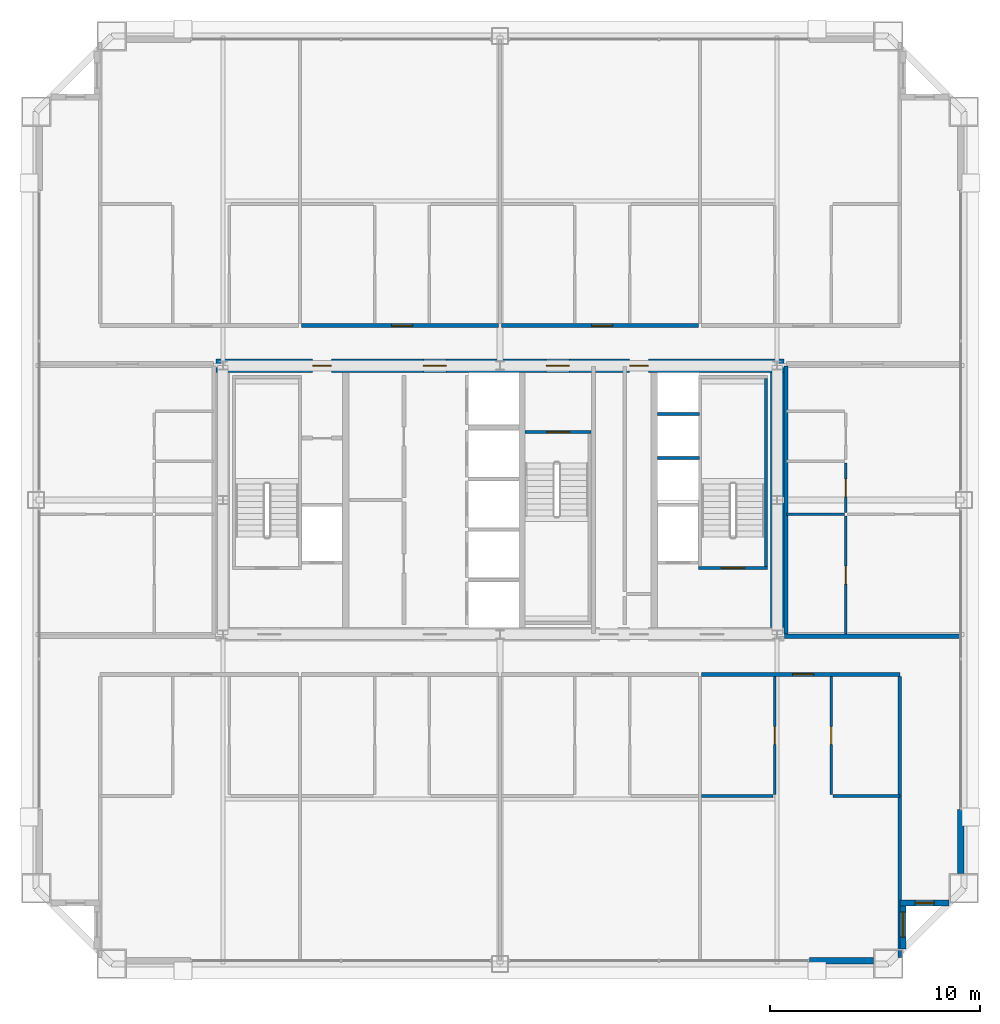
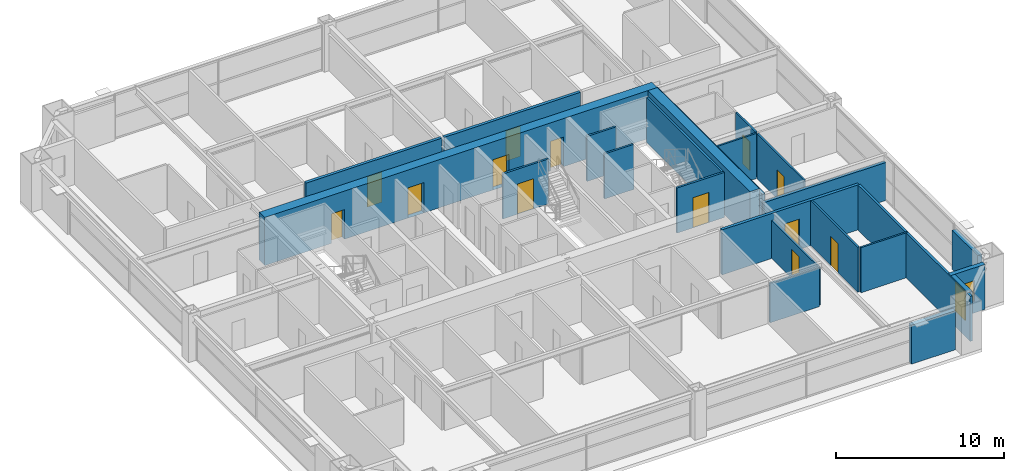
# One storey, part 35 of 38: 24 walls, 13 doors, 2 windows, 15 openings.
"""IFC4 building model written with IfcOpenShell, lengths in metres."""

from ifc_helpers import new_model, si_unit, direction, frame, frame_2d, origin, place, context, subcontext, project, spatial, rectangle, extrude, source, transform, mapped, material, layer, layer_set, type_object, element, fill, save


model = new_model("IFC4")

# Units and contexts
model_context = context("Model", 3, precision=1e-05, world=origin(), true_north=direction((0.0, 1.0)))
body_context = subcontext(model_context, "Body", "Model", "MODEL_VIEW")
ifc_project = project(units=[si_unit("LENGTHUNIT", "METRE"), si_unit("AREAUNIT", "SQUARE_METRE"), si_unit("VOLUMEUNIT", "CUBIC_METRE"), si_unit("PLANEANGLEUNIT", "RADIAN"), si_unit("MASSUNIT", "GRAM", prefix="KILO"), si_unit("THERMODYNAMICTEMPERATUREUNIT", "KELVIN"), si_unit("POWERUNIT", "WATT")], contexts=[model_context])

# Site, building, storey
site_placement = place(None, origin())
site = spatial("IfcSite", under=ifc_project, at=site_placement, CompositionType="ELEMENT")
building_placement = place(site_placement, origin())
building = spatial("IfcBuilding", under=site, at=building_placement, Name="Yuzanri Waterfront Tower", CompositionType="ELEMENT")
storey_placement = place(building_placement, frame((0.0, 0.0, 188.0)))
storey = spatial("IfcBuildingStorey", under=building, at=storey_placement, Name="L49", CompositionType="ELEMENT", Elevation=188.0)

# Wall, opening, door
ifc_material_1 = material(Name="Moisture-Resistant Gypsum Stud Wall", Category="gypsum")
ifc_layer_1 = layer(ifc_material_1, 0.1201171875)
ifc_layer_set_1 = layer_set([ifc_layer_1], Name="Moisture-Resistant Gypsum Stud Wall")
wall_type_1 = type_object("IfcWallType", Name="Bathroom and Kitchen Wet Partition 120", PredefinedType="PARTITIONING", material=ifc_layer_set_1)
wall_1_placement = place(storey_placement, frame((50.090087890625, 11.780029296875, 0.0), z_axis=(0.0, 0.0, 1.0), x_axis=(0.0, 1.0, 0.0)))
wall_1 = element("IfcWall", 1, at=wall_1_placement, inside=storey, type_object=wall_type_1, Name="L49 Partition UW-L49-RS4-SUB-1-E", PredefinedType="PARTITIONING", context=body_context, shape_type="SweptSolid", body=[
    extrude(rectangle(XDim=5.60986328125, YDim=0.1201171875, at=frame_2d((2.804931640625, 0.0))), origin(), (0.0, 0.0, 1.0), 2.77490234375),
])
opening_1_placement = place(wall_1_placement, frame((2.3798828125, 0.0, 0.0)))
opening_1 = element("IfcOpeningElement", 2, at=opening_1_placement, cuts=wall_1, Name="Opening ID-0850", PredefinedType="OPENING", context=body_context, shape_type="SweptSolid", body=[
    extrude(rectangle(XDim=0.85009765625, YDim=2.10009765625, at=frame_2d((0.425048828125, 1.050048828125))), frame((0.0, 0.074951171875, 0.0), z_axis=(0.0, -1.0, 0.0), x_axis=(1.0, 0.0, 0.0)), (0.0, 0.0, 1.0), 0.14990234375),
])
ifc_material_2 = material(Name="Moisture-Resistant Lacquered Timber", Category="wood")
door_type_1 = type_object("IfcDoorType", Name="En-Suite Bathroom and Kitchen Swing Door 850x2100", OperationType="NOTDEFINED", PredefinedType="DOOR", material=ifc_material_2)
shared_shape_1 = source(origin(), body_context, "Body", "SweptSolid", [
    extrude(rectangle(XDim=0.85009765625, YDim=2.10009765625, at=frame_2d((0.425048828125, 1.050048828125))), frame((0.0, 0.02490234375, 0.0), z_axis=(0.0, -1.0, 0.0), x_axis=(1.0, 0.0, 0.0)), (0.0, 0.0, 1.0), 0.050048828125),
])
door_1_placement = place(opening_1_placement, origin())
door_1 = element("IfcDoor", 3, at=door_1_placement, inside=storey, type_object=door_type_1, Name="L49 Suite Interior Room Door", OperationType="SINGLE_SWING_RIGHT", OverallHeight=2.10009765625, OverallWidth=0.85009765625, PredefinedType="DOOR", context=body_context, shape_type="MappedRepresentation", body=[
    mapped(shared_shape_1, transform((0.0, 0.0, 0.0), scale=1.0)),
])
fill(opening_1, door_1)

wall_2_placement = place(storey_placement, frame((52.780029296875, 11.780029296875, 0.0), z_axis=(0.0, 0.0, 1.0), x_axis=(0.0, 1.0, 0.0)))
wall_2 = element("IfcWall", 4, at=wall_2_placement, inside=storey, type_object=wall_type_1, Name="L49 Partition UW-L49-RS4-SUB-2-W", PredefinedType="PARTITIONING", context=body_context, shape_type="SweptSolid", body=[
    extrude(rectangle(XDim=5.60986328125, YDim=0.1201171875, at=frame_2d((2.804931640625, 0.0))), origin(), (0.0, 0.0, 1.0), 3.280029296875),
])
opening_2_placement = place(wall_2_placement, frame((2.3798828125, 0.0, 0.0)))
opening_2 = element("IfcOpeningElement", 5, at=opening_2_placement, cuts=wall_2, Name="Opening ID-0850", PredefinedType="OPENING", context=body_context, shape_type="SweptSolid", body=[
    extrude(rectangle(XDim=0.85009765625, YDim=2.10009765625, at=frame_2d((0.425048828125, 1.050048828125))), frame((0.0, 0.074951171875, 0.0), z_axis=(0.0, -1.0, 0.0), x_axis=(1.0, 0.0, 0.0)), (0.0, 0.0, 1.0), 0.14990234375),
])
door_2_placement = place(opening_2_placement, origin())
door_2 = element("IfcDoor", 6, at=door_2_placement, inside=storey, type_object=door_type_1, Name="L49 Suite Interior Room Door", OperationType="SINGLE_SWING_LEFT", OverallHeight=2.10009765625, OverallWidth=0.85009765625, PredefinedType="DOOR", context=body_context, shape_type="MappedRepresentation", body=[
    mapped(shared_shape_1, transform((0.0, 0.0, 0.0), scale=1.0)),
])
fill(opening_2, door_2)

wall_3_placement = place(storey_placement, frame((53.47998046875, 25.193115234375, 0.0), z_axis=(0.0, 0.0, 1.0), x_axis=(0.0, 1.0, 0.0)))
wall_3 = element("IfcWall", 7, at=wall_3_placement, inside=storey, type_object=wall_type_1, Name="L49 Partition UW-L49-RE1-SUB-1-E", PredefinedType="PARTITIONING", context=body_context, shape_type="SweptSolid", body=[
    extrude(rectangle(XDim=2.37890625, YDim=0.1201171875, at=frame_2d((1.189453125, 0.0))), origin(), (0.0, 0.0, 1.0), 3.280029296875),
])
opening_3_placement = place(wall_3_placement, frame((0.764404296875, 0.0, 0.0)))
opening_3 = element("IfcOpeningElement", 8, at=opening_3_placement, cuts=wall_3, Name="Opening ID-0850", PredefinedType="OPENING", context=body_context, shape_type="SweptSolid", body=[
    extrude(rectangle(XDim=0.85009765625, YDim=2.10009765625, at=frame_2d((0.425048828125, 1.050048828125))), frame((0.0, 0.074951171875, 0.0), z_axis=(0.0, -1.0, 0.0), x_axis=(1.0, 0.0, 0.0)), (0.0, 0.0, 1.0), 0.14990234375),
])
door_3_placement = place(opening_3_placement, origin())
door_3 = element("IfcDoor", 9, at=door_3_placement, inside=storey, type_object=door_type_1, Name="L49 Suite Interior Room Door", OperationType="SINGLE_SWING_RIGHT", OverallHeight=2.10009765625, OverallWidth=0.85009765625, PredefinedType="DOOR", context=body_context, shape_type="MappedRepresentation", body=[
    mapped(shared_shape_1, transform((0.0, 0.0, 0.0), scale=1.0)),
])
fill(opening_3, door_3)

wall_4_placement = place(storey_placement, frame((53.47998046875, 19.409912109375, 0.0), z_axis=(0.0, 0.0, 1.0), x_axis=(0.0, 1.0, 0.0)))
wall_4 = element("IfcWall", 10, at=wall_4_placement, inside=storey, type_object=wall_type_1, Name="L49 Partition UW-L49-RE1-SUB-3-W", PredefinedType="PARTITIONING", context=body_context, shape_type="SweptSolid", body=[
    extrude(rectangle(XDim=5.623046875, YDim=0.1201171875, at=frame_2d((2.8115234375, 0.0))), origin(), (0.0, 0.0, 1.0), 3.280029296875),
])
opening_4_placement = place(wall_4_placement, frame((2.386474609375, 0.0, 0.0)))
opening_4 = element("IfcOpeningElement", 11, at=opening_4_placement, cuts=wall_4, Name="Opening ID-0850", PredefinedType="OPENING", context=body_context, shape_type="SweptSolid", body=[
    extrude(rectangle(XDim=0.85009765625, YDim=2.10009765625, at=frame_2d((0.425048828125, 1.050048828125))), frame((0.0, 0.074951171875, 0.0), z_axis=(0.0, -1.0, 0.0), x_axis=(1.0, 0.0, 0.0)), (0.0, 0.0, 1.0), 0.14990234375),
])
door_4_placement = place(opening_4_placement, origin())
door_4 = element("IfcDoor", 12, at=door_4_placement, inside=storey, type_object=door_type_1, Name="L49 Suite Interior Room Door", OperationType="SINGLE_SWING_LEFT", OverallHeight=2.10009765625, OverallWidth=0.85009765625, PredefinedType="DOOR", context=body_context, shape_type="MappedRepresentation", body=[
    mapped(shared_shape_1, transform((0.0, 0.0, 0.0), scale=1.0)),
])
fill(opening_4, door_4)

# Wall, opening, window
ifc_material_3 = material(Name="Honed Chongqing Dark Basalt Stone", Category="masonry")
ifc_layer_2 = layer(ifc_material_3, 0.300048828125)
ifc_layer_set_2 = layer_set([ifc_layer_2], Name="Honed Chongqing Dark Basalt Stone")
wall_type_2 = type_object("IfcWallType", Name="Bronze Rainscreen Insulated Spandrel Portal Wall 300", PredefinedType="SOLIDWALL", material=ifc_layer_set_2)
wall_5_placement = place(storey_placement, frame((56.050048828125, 6.60009765625, 0.0), z_axis=(0.0, 0.0, 1.0), x_axis=(1.0, 0.0, 0.0)))
wall_5 = element("IfcWall", 13, at=wall_5_placement, inside=storey, type_object=wall_type_2, Name="L49 Notched Corner Masonry Wall SE-X", PredefinedType="SOLIDWALL", context=body_context, shape_type="SweptSolid", body=[
    extrude(rectangle(XDim=2.349853515625, YDim=0.300048828125, at=frame_2d((1.1748046875, 0.0))), origin(), (0.0, 0.0, 1.0), 3.280029296875),
])
opening_5_placement = place(wall_5_placement, frame((0.72509765625, 0.0, 0.85009765625)))
opening_5 = element("IfcOpeningElement", 14, at=opening_5_placement, cuts=wall_5, Name="Opening WN-05", PredefinedType="OPENING", context=body_context, shape_type="SweptSolid", body=[
    extrude(rectangle(XDim=0.89990234375, YDim=1.5, at=frame_2d((0.449951171875, 0.75))), frame((0.0, 0.1650390625, 0.0), z_axis=(0.0, -1.0, 0.0), x_axis=(1.0, 0.0, 0.0)), (0.0, 0.0, 1.0), 0.329833984375),
])
ifc_material_4 = material(Name="Double-Silver Low-E Insulated Glass", Category="glass")
window_type_1 = type_object("IfcWindowType", Name="Anodized Bronze Service and Stairwell Smoke-Vent Window 900x1500", PartitioningType="SINGLE_PANEL", PredefinedType="WINDOW", material=ifc_material_4)
shared_shape_2 = source(origin(), body_context, "Body", "SweptSolid", [
    extrude(rectangle(XDim=0.89990234375, YDim=1.5, at=frame_2d((0.449951171875, 0.75))), frame((0.0, 0.030029296875, 0.0), z_axis=(0.0, -1.0, 0.0), x_axis=(1.0, 0.0, 0.0)), (0.0, 0.0, 1.0), 0.06005859375),
])
window_1_placement = place(opening_5_placement, origin())
window_1 = element("IfcWindow", 15, at=window_1_placement, inside=storey, type_object=window_type_1, Name="L49 Notched Corner Window SE-X", OverallHeight=1.5, OverallWidth=0.89990234375, PartitioningType="SINGLE_PANEL", PredefinedType="WINDOW", context=body_context, shape_type="MappedRepresentation", body=[
    mapped(shared_shape_2, transform((0.0, 0.0, 0.0), scale=1.0)),
])
fill(opening_5, window_1)

wall_6_placement = place(storey_placement, frame((56.199951171875, 4.39990234375, 0.0), z_axis=(0.0, 0.0, 1.0), x_axis=(0.0, 1.0, 0.0)))
wall_6 = element("IfcWall", 16, at=wall_6_placement, inside=storey, type_object=wall_type_2, Name="L49 Notched Corner Masonry Wall SE-Y", PredefinedType="SOLIDWALL", context=body_context, shape_type="SweptSolid", body=[
    extrude(rectangle(XDim=2.35009765625, YDim=0.300048828125, at=frame_2d((1.175048828125, 0.0))), origin(), (0.0, 0.0, 1.0), 3.280029296875),
])
opening_6_placement = place(wall_6_placement, frame((0.574951171875, 0.0, 0.85009765625)))
opening_6 = element("IfcOpeningElement", 17, at=opening_6_placement, cuts=wall_6, Name="Opening WN-02", PredefinedType="OPENING", context=body_context, shape_type="SweptSolid", body=[
    extrude(rectangle(XDim=1.199951171875, YDim=2.10009765625, at=frame_2d((0.60009765625, 1.050048828125))), frame((0.0, 0.1650390625, 0.0), z_axis=(0.0, -1.0, 0.0), x_axis=(1.0, 0.0, 0.0)), (0.0, 0.0, 1.0), 0.329833984375),
])
ifc_material_5 = material(Name="Double-Silver Low-E Insulated Glass", Category="glass")
window_type_2 = type_object("IfcWindowType", Name="Anodized Bronze Notched Corner Deep-Set Slot Window 1200x2100", PartitioningType="SINGLE_PANEL", PredefinedType="WINDOW", material=ifc_material_5)
shared_shape_3 = source(origin(), body_context, "Body", "SweptSolid", [
    extrude(rectangle(XDim=1.199951171875, YDim=2.10009765625, at=frame_2d((0.60009765625, 1.050048828125))), frame((0.0, 0.030029296875, 0.0), z_axis=(0.0, -1.0, 0.0), x_axis=(1.0, 0.0, 0.0)), (0.0, 0.0, 1.0), 0.06005859375),
])
window_2_placement = place(opening_6_placement, origin())
window_2 = element("IfcWindow", 18, at=window_2_placement, inside=storey, type_object=window_type_2, Name="L49 Notched Corner Window SE-Y", OverallHeight=2.10009765625, OverallWidth=1.199951171875, PartitioningType="SINGLE_PANEL", PredefinedType="WINDOW", context=body_context, shape_type="MappedRepresentation", body=[
    mapped(shared_shape_3, transform((0.0, 0.0, 0.0), scale=1.0)),
])
fill(opening_6, window_2)

# Wall, openings, doors
ifc_material_6 = material(Name="Concrete C50", Category="concrete")
ifc_layer_3 = layer(ifc_material_6, 0.64990234375)
ifc_layer_set_3 = layer_set([ifc_layer_3], Name="Concrete C50")
wall_type_3 = type_object("IfcWallType", Name="Concrete C50 Mid Zone Core Shear Wall 650", PredefinedType="SHEAR", material=ifc_layer_set_3)
wall_7_placement = place(storey_placement, frame((23.47509765625, 32.199951171875, 0.0), z_axis=(0.0, 0.0, 1.0), x_axis=(1.0, 0.0, 0.0)))
wall_7 = element("IfcWall", 19, at=wall_7_placement, inside=storey, type_object=wall_type_3, Name="L49 Core North Shear Wall", PredefinedType="SHEAR", context=body_context, shape_type="SweptSolid", body=[
    extrude(rectangle(XDim=27.0498046875, YDim=0.64990234375, at=frame_2d((13.52490234375, 0.0))), origin(), (0.0, 0.0, 1.0), 3.5),
])
opening_7_placement = place(wall_7_placement, frame((4.594970703125, 0.0, 0.0)))
opening_7 = element("IfcOpeningElement", 20, at=opening_7_placement, cuts=wall_7, Name="Opening FD-0900", PredefinedType="OPENING", context=body_context, shape_type="SweptSolid", body=[
    extrude(rectangle(XDim=0.89990234375, YDim=2.14990234375, at=frame_2d((0.449951171875, 1.074951171875))), frame((0.0, 0.33984375, 0.0), z_axis=(0.0, -1.0, 0.0), x_axis=(1.0, 0.0, 0.0)), (0.0, 0.0, 1.0), 0.6796875),
])
opening_8_placement = place(wall_7_placement, frame((9.875, 0.0, 0.0)))
opening_8 = element("IfcOpeningElement", 21, at=opening_8_placement, cuts=wall_7, Name="Opening FD-1100", PredefinedType="OPENING", context=body_context, shape_type="SweptSolid", body=[
    extrude(rectangle(XDim=1.10009765625, YDim=2.199951171875, at=frame_2d((0.550048828125, 1.10009765625))), frame((0.0, 0.33984375, 0.0), z_axis=(0.0, -1.0, 0.0), x_axis=(1.0, 0.0, 0.0)), (0.0, 0.0, 1.0), 0.6796875),
])
opening_9_placement = place(wall_7_placement, frame((15.72509765625, 0.0, 0.0)))
opening_9 = element("IfcOpeningElement", 22, at=opening_9_placement, cuts=wall_7, Name="Opening FD-1100", PredefinedType="OPENING", context=body_context, shape_type="SweptSolid", body=[
    extrude(rectangle(XDim=1.10009765625, YDim=2.199951171875, at=frame_2d((0.550048828125, 1.10009765625))), frame((0.0, 0.33984375, 0.0), z_axis=(0.0, -1.0, 0.0), x_axis=(1.0, 0.0, 0.0)), (0.0, 0.0, 1.0), 0.6796875),
])
opening_10_placement = place(wall_7_placement, frame((19.695068359375, 0.0, 0.0)))
opening_10 = element("IfcOpeningElement", 23, at=opening_10_placement, cuts=wall_7, Name="Opening FD-0900", PredefinedType="OPENING", context=body_context, shape_type="SweptSolid", body=[
    extrude(rectangle(XDim=0.89990234375, YDim=2.14990234375, at=frame_2d((0.449951171875, 1.074951171875))), frame((0.0, 0.33984375, 0.0), z_axis=(0.0, -1.0, 0.0), x_axis=(1.0, 0.0, 0.0)), (0.0, 0.0, 1.0), 0.6796875),
])
ifc_material_7 = material(Name="Painted Galvanized Fire Steel", Category="steel")
door_type_2 = type_object("IfcDoorType", Name="Smoke-Proof Stair and Lobby Fire Door 1100x2200", OperationType="NOTDEFINED", PredefinedType="DOOR", material=ifc_material_7)
shared_shape_4 = source(origin(), body_context, "Body", "SweptSolid", [
    extrude(rectangle(XDim=1.10009765625, YDim=2.199951171875, at=frame_2d((0.550048828125, 1.10009765625))), frame((0.0, 0.02490234375, 0.0), z_axis=(0.0, -1.0, 0.0), x_axis=(1.0, 0.0, 0.0)), (0.0, 0.0, 1.0), 0.050048828125),
])
door_5_placement = place(opening_8_placement, origin())
door_5 = element("IfcDoor", 24, at=door_5_placement, inside=storey, type_object=door_type_2, Name="L49 Central Lift Lobby North Door", OperationType="SINGLE_SWING_RIGHT", OverallHeight=2.199951171875, OverallWidth=1.10009765625, PredefinedType="DOOR", context=body_context, shape_type="MappedRepresentation", body=[
    mapped(shared_shape_4, transform((0.0, 0.0, 0.0), scale=1.0)),
])
fill(opening_8, door_5)
door_6_placement = place(opening_9_placement, origin())
door_6 = element("IfcDoor", 25, at=door_6_placement, inside=storey, type_object=door_type_2, Name="L49 North Stair Lobby Door", OperationType="SINGLE_SWING_LEFT", OverallHeight=2.199951171875, OverallWidth=1.10009765625, PredefinedType="DOOR", context=body_context, shape_type="MappedRepresentation", body=[
    mapped(shared_shape_4, transform((0.0, 0.0, 0.0), scale=1.0)),
])
fill(opening_9, door_6)
ifc_material_8 = material(Name="Painted Galvanized Fire Steel", Category="steel")
door_type_3 = type_object("IfcDoorType", Name="Riser and Service Room Fire Door 900x2150", OperationType="NOTDEFINED", PredefinedType="DOOR", material=ifc_material_8)
shared_shape_5 = source(origin(), body_context, "Body", "SweptSolid", [
    extrude(rectangle(XDim=0.89990234375, YDim=2.14990234375, at=frame_2d((0.449951171875, 1.074951171875))), frame((0.0, 0.02490234375, 0.0), z_axis=(0.0, -1.0, 0.0), x_axis=(1.0, 0.0, 0.0)), (0.0, 0.0, 1.0), 0.050048828125),
])
door_7_placement = place(opening_7_placement, origin())
door_7 = element("IfcDoor", 26, at=door_7_placement, inside=storey, type_object=door_type_3, Name="L49 Telecom Riser Door", OperationType="SINGLE_SWING_LEFT", OverallHeight=2.14990234375, OverallWidth=0.89990234375, PredefinedType="DOOR", context=body_context, shape_type="MappedRepresentation", body=[
    mapped(shared_shape_5, transform((0.0, 0.0, 0.0), scale=1.0)),
])
fill(opening_7, door_7)
door_8_placement = place(opening_10_placement, origin())
door_8 = element("IfcDoor", 27, at=door_8_placement, inside=storey, type_object=door_type_3, Name="L49 Linen Store Room", OperationType="SINGLE_SWING_LEFT", OverallHeight=2.14990234375, OverallWidth=0.89990234375, PredefinedType="DOOR", context=body_context, shape_type="MappedRepresentation", body=[
    mapped(shared_shape_5, transform((0.0, 0.0, 0.0), scale=1.0)),
])
fill(opening_10, door_8)

# Wall, opening, door
ifc_material_9 = material(Name="Concrete C40", Category="concrete")
ifc_layer_4 = layer(ifc_material_9, 0.139892578125)
ifc_layer_set_4 = layer_set([ifc_layer_4], Name="Concrete C40")
wall_type_4 = type_object("IfcWallType", Name="Core Stair Liner and Hoistway Shaft Wall 140", PredefinedType="SOLIDWALL", material=ifc_layer_set_4)
wall_8_placement = place(storey_placement, frame((46.4599609375, 22.570068359375, 0.0), z_axis=(0.0, 0.0, 1.0), x_axis=(1.0, 0.0, 0.0)))
wall_8 = element("IfcWall", 28, at=wall_8_placement, inside=storey, type_object=wall_type_4, Name="L49 Shaft Wall STW-L49-ST-02-S", PredefinedType="SOLIDWALL", context=body_context, shape_type="SweptSolid", body=[
    extrude(rectangle(XDim=3.280029296875, YDim=0.139892578125, at=frame_2d((1.64013671875, 0.0))), origin(), (0.0, 0.0, 1.0), 3.280029296875),
])
opening_11_placement = place(wall_8_placement, frame((1.090087890625, 0.0, 0.0)))
opening_11 = element("IfcOpeningElement", 29, at=opening_11_placement, cuts=wall_8, Name="Opening FD-1100", PredefinedType="OPENING", context=body_context, shape_type="SweptSolid", body=[
    extrude(rectangle(XDim=1.10009765625, YDim=2.199951171875, at=frame_2d((0.550048828125, 1.10009765625))), frame((0.0, 0.0849609375, 0.0), z_axis=(0.0, -1.0, 0.0), x_axis=(1.0, 0.0, 0.0)), (0.0, 0.0, 1.0), 0.169677734375),
])
door_9_placement = place(opening_11_placement, origin())
door_9 = element("IfcDoor", 30, at=door_9_placement, inside=storey, type_object=door_type_2, Name="L49 Stair ST-02 Fire Door", OperationType="SINGLE_SWING_RIGHT", OverallHeight=2.199951171875, OverallWidth=1.10009765625, PredefinedType="DOOR", context=body_context, shape_type="MappedRepresentation", body=[
    mapped(shared_shape_4, transform((0.0, 0.0, 0.0), scale=1.0)),
])
fill(opening_11, door_9)

wall_9_placement = place(storey_placement, frame((38.199951171875, 29.030029296875, 0.0), z_axis=(0.0, 0.0, 1.0), x_axis=(1.0, 0.0, 0.0)))
wall_9 = element("IfcWall", 31, at=wall_9_placement, inside=storey, type_object=wall_type_4, Name="L49 Shaft Wall STW-L49-ST-03-N", PredefinedType="SOLIDWALL", context=body_context, shape_type="SweptSolid", body=[
    extrude(rectangle(XDim=3.14013671875, YDim=0.139892578125, at=frame_2d((1.570068359375, 0.0))), origin(), (0.0, 0.0, 1.0), 3.280029296875),
])
opening_12_placement = place(wall_9_placement, frame((1.02001953125, 0.0, 0.0)))
opening_12 = element("IfcOpeningElement", 32, at=opening_12_placement, cuts=wall_9, Name="Opening FD-1100", PredefinedType="OPENING", context=body_context, shape_type="SweptSolid", body=[
    extrude(rectangle(XDim=1.10009765625, YDim=2.199951171875, at=frame_2d((0.550048828125, 1.10009765625))), frame((0.0, 0.0849609375, 0.0), z_axis=(0.0, -1.0, 0.0), x_axis=(1.0, 0.0, 0.0)), (0.0, 0.0, 1.0), 0.169677734375),
])
door_10_placement = place(opening_12_placement, origin())
door_10 = element("IfcDoor", 33, at=door_10_placement, inside=storey, type_object=door_type_2, Name="L49 Stair ST-03 Fire Door", OperationType="SINGLE_SWING_LEFT", OverallHeight=2.199951171875, OverallWidth=1.10009765625, PredefinedType="DOOR", context=body_context, shape_type="MappedRepresentation", body=[
    mapped(shared_shape_4, transform((0.0, 0.0, 0.0), scale=1.0)),
])
fill(opening_12, door_10)

ifc_material_10 = material(Name="Autoclaved Aerated Concrete Blockwork", Category="masonry")
ifc_layer_5 = layer(ifc_material_10, 0.199951171875)
ifc_layer_set_5 = layer_set([ifc_layer_5], Name="Autoclaved Aerated Concrete Blockwork")
wall_type_5 = type_object("IfcWallType", Name="Corridor and Unit Party Fire Wall 200", PredefinedType="PARTITIONING", material=ifc_layer_set_5)
wall_10_placement = place(storey_placement, frame((46.610107421875, 17.489990234375, 0.0), z_axis=(0.0, 0.0, 1.0), x_axis=(1.0, 0.0, 0.0)))
wall_10 = element("IfcWall", 34, at=wall_10_placement, inside=storey, type_object=wall_type_5, Name="L49 Partition UW-L49-RS4-CN", PredefinedType="PARTITIONING", context=body_context, shape_type="SweptSolid", body=[
    extrude(rectangle(XDim=9.449951171875, YDim=0.199951171875, at=frame_2d((4.72509765625, 0.0))), origin(), (0.0, 0.0, 1.0), 3.280029296875),
])
opening_13_placement = place(wall_10_placement, frame((4.324951171875, 0.0, 0.0)))
opening_13 = element("IfcOpeningElement", 35, at=opening_13_placement, cuts=wall_10, Name="Opening FD-1000", PredefinedType="OPENING", context=body_context, shape_type="SweptSolid", body=[
    extrude(rectangle(XDim=1.0, YDim=2.199951171875, at=frame_2d((0.5, 1.10009765625))), frame((0.0, 0.11474609375, 0.0), z_axis=(0.0, -1.0, 0.0), x_axis=(1.0, 0.0, 0.0)), (0.0, 0.0, 1.0), 0.229736328125),
])
ifc_material_11 = material(Name="Engineered Oak Fire-Rated Timber", Category="wood")
door_type_4 = type_object("IfcDoorType", Name="Guestroom and Apartment Entrance Fire Door 1000x2200", OperationType="NOTDEFINED", PredefinedType="DOOR", material=ifc_material_11)
shared_shape_6 = source(origin(), body_context, "Body", "SweptSolid", [
    extrude(rectangle(XDim=1.0, YDim=2.199951171875, at=frame_2d((0.5, 1.10009765625))), frame((0.0, 0.02490234375, 0.0), z_axis=(0.0, -1.0, 0.0), x_axis=(1.0, 0.0, 0.0)), (0.0, 0.0, 1.0), 0.050048828125),
])
door_11_placement = place(opening_13_placement, origin())
door_11 = element("IfcDoor", 36, at=door_11_placement, inside=storey, type_object=door_type_4, Name="L49 Studio Living and Sleeping Room Entrance Door", OperationType="SINGLE_SWING_LEFT", OverallHeight=2.199951171875, OverallWidth=1.0, PredefinedType="DOOR", context=body_context, shape_type="MappedRepresentation", body=[
    mapped(shared_shape_6, transform((0.0, 0.0, 0.0), scale=1.0)),
])
fill(opening_13, door_11)

wall_11_placement = place(storey_placement, frame((27.550048828125, 34.110107421875, 0.0), z_axis=(0.0, 0.0, 1.0), x_axis=(1.0, 0.0, 0.0)))
wall_11 = element("IfcWall", 37, at=wall_11_placement, inside=storey, type_object=wall_type_5, Name="L49 Partition UW-L49-RN2-CS", PredefinedType="PARTITIONING", context=body_context, shape_type="SweptSolid", body=[
    extrude(rectangle(XDim=9.369873046875, YDim=0.199951171875, at=frame_2d((4.68505859375, 0.0))), origin(), (0.0, 0.0, 1.0), 3.280029296875),
])
opening_14_placement = place(wall_11_placement, frame((4.281982421875, 0.0, 0.0)))
opening_14 = element("IfcOpeningElement", 38, at=opening_14_placement, cuts=wall_11, Name="Opening FD-1000", PredefinedType="OPENING", context=body_context, shape_type="SweptSolid", body=[
    extrude(rectangle(XDim=1.0, YDim=2.199951171875, at=frame_2d((0.5, 1.10009765625))), frame((0.0, 0.11474609375, 0.0), z_axis=(0.0, -1.0, 0.0), x_axis=(1.0, 0.0, 0.0)), (0.0, 0.0, 1.0), 0.229736328125),
])
door_12_placement = place(opening_14_placement, origin())
door_12 = element("IfcDoor", 39, at=door_12_placement, inside=storey, type_object=door_type_4, Name="L49 Studio Living and Sleeping Room Entrance Door", OperationType="SINGLE_SWING_LEFT", OverallHeight=2.199951171875, OverallWidth=1.0, PredefinedType="DOOR", context=body_context, shape_type="MappedRepresentation", body=[
    mapped(shared_shape_6, transform((0.0, 0.0, 0.0), scale=1.0)),
])
fill(opening_14, door_12)

wall_12_placement = place(storey_placement, frame((37.080078125, 34.110107421875, 0.0), z_axis=(0.0, 0.0, 1.0), x_axis=(1.0, 0.0, 0.0)))
wall_12 = element("IfcWall", 40, at=wall_12_placement, inside=storey, type_object=wall_type_5, Name="L49 Partition UW-L49-RN3-CS", PredefinedType="PARTITIONING", context=body_context, shape_type="SweptSolid", body=[
    extrude(rectangle(XDim=9.369873046875, YDim=0.199951171875, at=frame_2d((4.68505859375, 0.0))), origin(), (0.0, 0.0, 1.0), 3.280029296875),
])
opening_15_placement = place(wall_12_placement, frame((4.281982421875, 0.0, 0.0)))
opening_15 = element("IfcOpeningElement", 41, at=opening_15_placement, cuts=wall_12, Name="Opening FD-1000", PredefinedType="OPENING", context=body_context, shape_type="SweptSolid", body=[
    extrude(rectangle(XDim=1.0, YDim=2.199951171875, at=frame_2d((0.5, 1.10009765625))), frame((0.0, 0.11474609375, 0.0), z_axis=(0.0, -1.0, 0.0), x_axis=(1.0, 0.0, 0.0)), (0.0, 0.0, 1.0), 0.229736328125),
])
door_13_placement = place(opening_15_placement, origin())
door_13 = element("IfcDoor", 42, at=door_13_placement, inside=storey, type_object=door_type_4, Name="L49 Studio Living and Sleeping Room Entrance Door", OperationType="SINGLE_SWING_RIGHT", OverallHeight=2.199951171875, OverallWidth=1.0, PredefinedType="DOOR", context=body_context, shape_type="MappedRepresentation", body=[
    mapped(shared_shape_6, transform((0.0, 0.0, 0.0), scale=1.0)),
])
fill(opening_15, door_13)

# Walls
shared_shape_7 = source(origin(), body_context, "Body", "SweptSolid", [
    extrude(rectangle(XDim=12.14990234375, YDim=0.64990234375, at=frame_2d((6.074951171875, 0.0))), origin(), (0.0, 0.0, 1.0), 3.5),
])
wall_13_placement = place(storey_placement, frame((50.199951171875, 19.72509765625, 0.0), z_axis=(0.0, 0.0, 1.0), x_axis=(0.0, 1.0, 0.0)))
element("IfcWall", 43, at=wall_13_placement, inside=storey, type_object=wall_type_3, Name="L49 Core East Shear Wall", PredefinedType="SHEAR", context=body_context, shape_type="MappedRepresentation", body=[
    mapped(shared_shape_7, transform((0.0, 0.0, 0.0), scale=1.0)),
])
shared_shape_8 = source(origin(), body_context, "Body", "SweptSolid", [
    extrude(rectangle(XDim=3.050048828125, YDim=0.300048828125, at=frame_2d((1.52490234375, 0.0))), origin(), (0.0, 0.0, 1.0), 2.8349609375),
])
for number, where, z_axis, x_axis, name in (
    (44, (51.75, 3.85009765625, 0.0), (0.0, 0.0, 1.0), (1.0, 0.0, 0.0), "L49 S Right Braced Masonry Shoulder"),
    (45, (58.949951171875, 8.0, 0.0), (0.0, 0.0, 1.0), (0.0, 1.0, 0.0), "L49 E Left Braced Masonry Shoulder"),
):
    element("IfcWall", number, at=place(storey_placement, frame(where, z_axis=z_axis, x_axis=x_axis)), inside=storey, type_object=wall_type_2, Name=name, PredefinedType="SOLIDWALL", context=body_context, shape_type="MappedRepresentation", body=[
        mapped(shared_shape_8, transform((0.0, 0.0, 0.0), scale=1.0)),
    ])
shared_shape_9 = source(origin(), body_context, "Body", "SweptSolid", [
    extrude(rectangle(XDim=2.0, YDim=0.139892578125, at=frame_2d((1.0, 0.0))), origin(), (0.0, 0.0, 1.0), 3.280029296875),
])
for number, where, z_axis, x_axis, name in (
    (46, (44.5, 27.800048828125, 0.0), (0.0, 0.0, 1.0), (1.0, 0.0, 0.0), "L49 Lift PL-09 Divider Wall"),
    (47, (44.5, 29.89990234375, 0.0), (0.0, 0.0, 1.0), (1.0, 0.0, 0.0), "L49 Lift PL-10 Divider Wall"),
):
    element("IfcWall", number, at=place(storey_placement, frame(where, z_axis=z_axis, x_axis=x_axis)), inside=storey, type_object=wall_type_4, Name=name, PredefinedType="SOLIDWALL", context=body_context, shape_type="MappedRepresentation", body=[
        mapped(shared_shape_9, transform((0.0, 0.0, 0.0), scale=1.0)),
    ])
shared_shape_10 = source(origin(), body_context, "Body", "SweptSolid", [
    extrude(rectangle(XDim=8.940185546875, YDim=0.139892578125, at=frame_2d((4.47021484375, 0.0))), origin(), (0.0, 0.0, 1.0), 3.280029296875),
])
wall_14_placement = place(storey_placement, frame((49.669921875, 22.639892578125, 0.0), z_axis=(0.0, 0.0, 1.0), x_axis=(0.0, 1.0, 0.0)))
element("IfcWall", 48, at=wall_14_placement, inside=storey, type_object=wall_type_4, Name="L49 Stair ST-02 East Shaft Wall", PredefinedType="SOLIDWALL", context=body_context, shape_type="MappedRepresentation", body=[
    mapped(shared_shape_10, transform((0.0, 0.0, 0.0), scale=1.0)),
])
ifc_material_12 = material(Name="Gypsum Fireboard Acoustic Stud Wall", Category="gypsum")
ifc_layer_6 = layer(ifc_material_12, 0.159912109375)
ifc_layer_set_6 = layer_set([ifc_layer_6], Name="Gypsum Fireboard Acoustic Stud Wall")
wall_type_6 = type_object("IfcWallType", Name="Acoustic Suite Demising Partition 160", PredefinedType="PARTITIONING", material=ifc_layer_set_6)
shared_shape_11 = source(origin(), body_context, "Body", "SweptSolid", [
    extrude(rectangle(XDim=13.389892578125, YDim=0.159912109375, at=frame_2d((6.69482421875, 0.0))), origin(), (0.0, 0.0, 1.0), 3.280029296875),
])
wall_15_placement = place(storey_placement, frame((56.050048828125, 4.0, 0.0), z_axis=(0.0, 0.0, 1.0), x_axis=(0.0, 1.0, 0.0)))
element("IfcWall", 49, at=wall_15_placement, inside=storey, type_object=wall_type_6, Name="L49 South Band East End Wall", PredefinedType="PARTITIONING", context=body_context, shape_type="MappedRepresentation", body=[
    mapped(shared_shape_11, transform((0.0, 0.0, 0.0), scale=1.0)),
])
shared_shape_12 = source(origin(), body_context, "Body", "SweptSolid", [
    extrude(rectangle(XDim=3.39990234375, YDim=0.1201171875, at=frame_2d((1.699951171875, 0.0))), origin(), (0.0, 0.0, 1.0), 2.875),
])
wall_16_placement = place(storey_placement, frame((46.610107421875, 11.699951171875, 0.0), z_axis=(0.0, 0.0, 1.0), x_axis=(1.0, 0.0, 0.0)))
element("IfcWall", 50, at=wall_16_placement, inside=storey, type_object=wall_type_1, Name="L49 Partition UW-L49-RS4-SUB-1-S", PredefinedType="PARTITIONING", context=body_context, shape_type="MappedRepresentation", body=[
    mapped(shared_shape_12, transform((0.0, 0.0, 0.0), scale=1.0)),
])
shared_shape_13 = source(origin(), body_context, "Body", "SweptSolid", [
    extrude(rectangle(XDim=3.199951171875, YDim=0.1201171875, at=frame_2d((1.60009765625, 0.0))), origin(), (0.0, 0.0, 1.0), 3.280029296875),
])
wall_17_placement = place(storey_placement, frame((52.860107421875, 11.699951171875, 0.0), z_axis=(0.0, 0.0, 1.0), x_axis=(1.0, 0.0, 0.0)))
element("IfcWall", 51, at=wall_17_placement, inside=storey, type_object=wall_type_1, Name="L49 Partition UW-L49-RS4-SUB-2-S", PredefinedType="PARTITIONING", context=body_context, shape_type="MappedRepresentation", body=[
    mapped(shared_shape_13, transform((0.0, 0.0, 0.0), scale=1.0)),
])
shared_shape_14 = source(origin(), body_context, "Body", "SweptSolid", [
    extrude(rectangle(XDim=8.39990234375, YDim=0.199951171875, at=frame_2d((4.199951171875, 0.0))), origin(), (0.0, 0.0, 1.0), 2.77490234375),
])
wall_18_placement = place(storey_placement, frame((50.550048828125, 19.31005859375, 0.0), z_axis=(0.0, 0.0, 1.0), x_axis=(1.0, 0.0, 0.0)))
element("IfcWall", 52, at=wall_18_placement, inside=storey, type_object=wall_type_5, Name="L49-RE1 Wing South Wall", PredefinedType="PARTITIONING", context=body_context, shape_type="MappedRepresentation", body=[
    mapped(shared_shape_14, transform((0.0, 0.0, 0.0), scale=1.0)),
])
shared_shape_15 = source(origin(), body_context, "Body", "SweptSolid", [
    extrude(rectangle(XDim=12.780029296875, YDim=0.199951171875, at=frame_2d((6.39013671875, 0.0))), origin(), (0.0, 0.0, 1.0), 3.280029296875),
])
wall_19_placement = place(storey_placement, frame((50.6298828125, 19.409912109375, 0.0), z_axis=(0.0, 0.0, 1.0), x_axis=(0.0, 1.0, 0.0)))
element("IfcWall", 53, at=wall_19_placement, inside=storey, type_object=wall_type_5, Name="L49-RE1 Wing Inner Core-Side Wall", PredefinedType="PARTITIONING", context=body_context, shape_type="MappedRepresentation", body=[
    mapped(shared_shape_15, transform((0.0, 0.0, 0.0), scale=1.0)),
])
shared_shape_16 = source(origin(), body_context, "Body", "SweptSolid", [
    extrude(rectangle(XDim=2.75, YDim=0.1201171875, at=frame_2d((1.375, 0.0))), origin(), (0.0, 0.0, 1.0), 3.280029296875),
])
wall_20_placement = place(storey_placement, frame((50.64990234375, 25.113037109375, 0.0), z_axis=(0.0, 0.0, 1.0), x_axis=(1.0, 0.0, 0.0)))
element("IfcWall", 54, at=wall_20_placement, inside=storey, type_object=wall_type_1, Name="L49 Partition UW-L49-RE1-SUB-1-S", PredefinedType="PARTITIONING", context=body_context, shape_type="MappedRepresentation", body=[
    mapped(shared_shape_16, transform((0.0, 0.0, 0.0), scale=1.0)),
])

save(model, "model.ifc")
